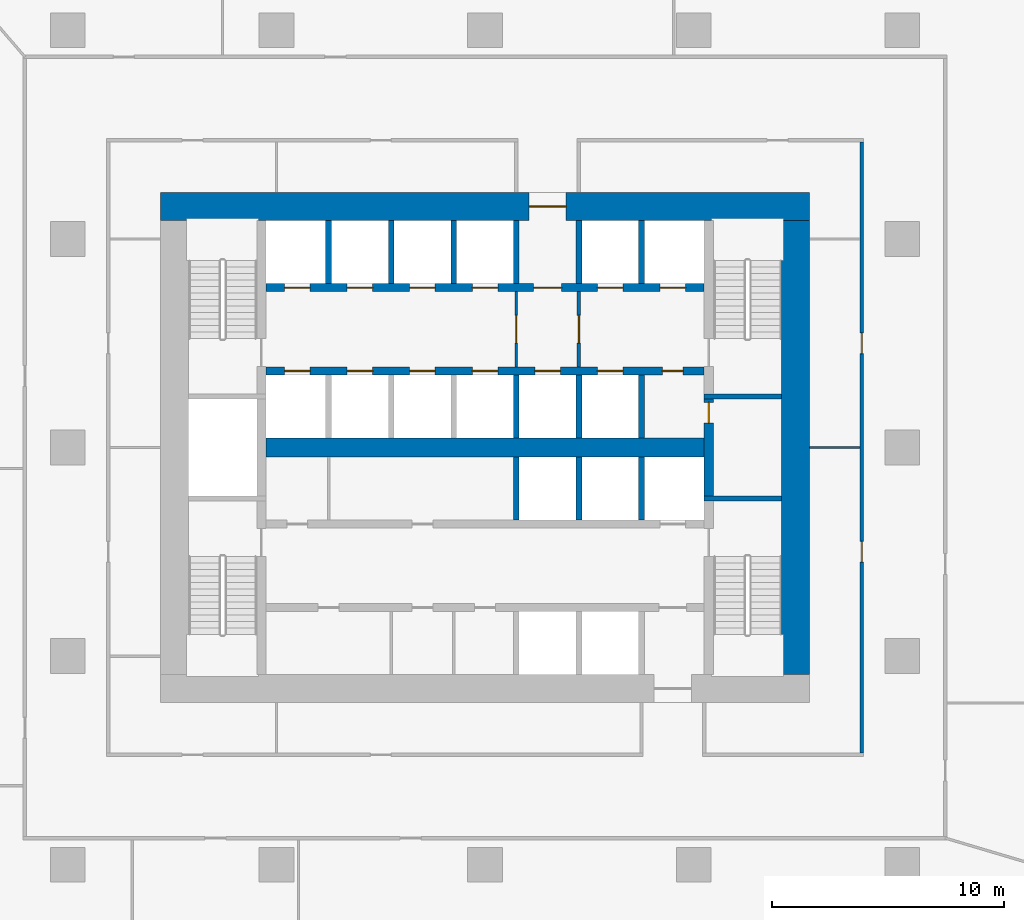
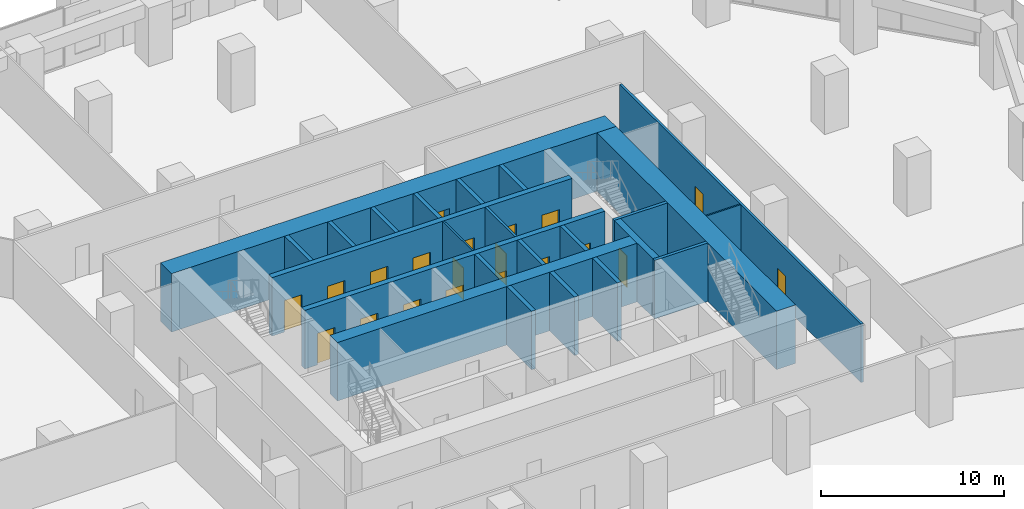
# One storey, part 14 of 23: 24 walls, 20 doors, 20 openings.
"""IFC4 building model written with IfcOpenShell, lengths in metres."""

from ifc_helpers import new_model, si_unit, direction, frame, frame_2d, origin, place, context, subcontext, project, spatial, rectangle, extrude, material, layer, layer_set, type_object, element, fill, save


model = new_model("IFC4")

# Units and contexts
model_context = context("Model", 3, precision=1e-05, world=origin(), true_north=direction((0.0, 1.0)))
body_context = subcontext(model_context, "Body", "Model", "MODEL_VIEW")
ifc_project = project(units=[si_unit("LENGTHUNIT", "METRE"), si_unit("AREAUNIT", "SQUARE_METRE"), si_unit("VOLUMEUNIT", "CUBIC_METRE"), si_unit("PLANEANGLEUNIT", "RADIAN"), si_unit("MASSUNIT", "GRAM", prefix="KILO")], contexts=[model_context])

# Site, building, storey
site_placement = place(None, origin())
site = spatial("IfcSite", under=ifc_project, at=site_placement, CompositionType="ELEMENT")
building_placement = place(site_placement, origin())
building = spatial("IfcBuilding", under=site, at=building_placement, Name="Dongbaek Canopy Tower", CompositionType="ELEMENT")
storey_placement = place(building_placement, frame((0.0, 0.0, 84.699951171875)))
storey = spatial("IfcBuildingStorey", under=building, at=storey_placement, Name="L17", CompositionType="ELEMENT", Elevation=84.699951171875)

# Wall
ifc_material_1 = material(Name="Concrete C60/75", Category="concrete")
ifc_layer_1 = layer(ifc_material_1, 0.800048828125)
ifc_layer_set_1 = layer_set([ifc_layer_1], Name="Core central wall 800 Concrete C60/75")
wall_type_1 = type_object("IfcWallType", Name="Core central wall 800 Concrete C60/75", PredefinedType="SHEAR", material=ifc_layer_set_1)
wall_1_placement = place(storey_placement, frame((-9.449951171875, 0.0, 0.0), z_axis=(0.0, 0.0, 1.0), x_axis=(1.0, 0.0, 0.0)))
element("IfcWall", 1, at=wall_1_placement, inside=storey, type_object=wall_type_1, Name="Core wall", PredefinedType="SHEAR", context=body_context, shape_type="SweptSolid", body=[
    extrude(rectangle(XDim=18.89990234375, YDim=0.800048828125, at=frame_2d((9.449951171875, 0.0))), origin(), (0.0, 0.0, 1.0), 3.900146484375),
])

# Wall, openings, doors
ifc_material_2 = material(Name="Concrete C60/75", Category="concrete")
ifc_layer_2 = layer(ifc_material_2, 0.35009765625)
ifc_layer_set_2 = layer_set([ifc_layer_2], Name="Core lobby wall 350 Concrete C60/75")
wall_type_2 = type_object("IfcWallType", Name="Core lobby wall 350 Concrete C60/75", PredefinedType="SHEAR", material=ifc_layer_set_2)
wall_2_placement = place(storey_placement, frame((-9.449951171875, 6.89990234375, 0.0), z_axis=(0.0, 0.0, 1.0), x_axis=(1.0, 0.0, 0.0)))
wall_2 = element("IfcWall", 2, at=wall_2_placement, inside=storey, type_object=wall_type_2, Name="Core wall", PredefinedType="SHEAR", context=body_context, shape_type="SweptSolid", body=[
    extrude(rectangle(XDim=18.89990234375, YDim=0.35009765625, at=frame_2d((9.449951171875, 0.0))), origin(), (0.0, 0.0, 1.0), 3.900146484375),
])
opening_1_placement = place(wall_2_placement, frame((0.800048828125, 0.0, 0.0)))
opening_1 = element("IfcOpeningElement", 3, at=opening_1_placement, cuts=wall_2, Name="Opening L17-D019", PredefinedType="OPENING", context=body_context, shape_type="SweptSolid", body=[
    extrude(rectangle(XDim=1.10009765625, YDim=2.10009765625, at=frame_2d((0.550048828125, 1.050048828125))), frame((0.0, 0.18505859375, 0.0), z_axis=(0.0, -1.0, 0.0), x_axis=(1.0, 0.0, 0.0)), (0.0, 0.0, 1.0), 0.3701171875),
])
opening_2_placement = place(wall_2_placement, frame((3.5, 0.0, 0.0)))
opening_2 = element("IfcOpeningElement", 4, at=opening_2_placement, cuts=wall_2, Name="Opening L17-D020", PredefinedType="OPENING", context=body_context, shape_type="SweptSolid", body=[
    extrude(rectangle(XDim=1.10009765625, YDim=2.10009765625, at=frame_2d((0.550048828125, 1.050048828125))), frame((0.0, 0.18505859375, 0.0), z_axis=(0.0, -1.0, 0.0), x_axis=(1.0, 0.0, 0.0)), (0.0, 0.0, 1.0), 0.3701171875),
])
opening_3_placement = place(wall_2_placement, frame((6.199951171875, 0.0, 0.0)))
opening_3 = element("IfcOpeningElement", 5, at=opening_3_placement, cuts=wall_2, Name="Opening L17-D021", PredefinedType="OPENING", context=body_context, shape_type="SweptSolid", body=[
    extrude(rectangle(XDim=1.10009765625, YDim=2.10009765625, at=frame_2d((0.550048828125, 1.050048828125))), frame((0.0, 0.18505859375, 0.0), z_axis=(0.0, -1.0, 0.0), x_axis=(1.0, 0.0, 0.0)), (0.0, 0.0, 1.0), 0.3701171875),
])
opening_4_placement = place(wall_2_placement, frame((8.89990234375, 0.0, 0.0)))
opening_4 = element("IfcOpeningElement", 6, at=opening_4_placement, cuts=wall_2, Name="Opening L17-D022", PredefinedType="OPENING", context=body_context, shape_type="SweptSolid", body=[
    extrude(rectangle(XDim=1.10009765625, YDim=2.10009765625, at=frame_2d((0.550048828125, 1.050048828125))), frame((0.0, 0.18505859375, 0.0), z_axis=(0.0, -1.0, 0.0), x_axis=(1.0, 0.0, 0.0)), (0.0, 0.0, 1.0), 0.3701171875),
])
opening_5_placement = place(wall_2_placement, frame((11.550048828125, 0.0, 0.0)))
opening_5 = element("IfcOpeningElement", 7, at=opening_5_placement, cuts=wall_2, Name="Opening L17-D024", PredefinedType="OPENING", context=body_context, shape_type="SweptSolid", body=[
    extrude(rectangle(XDim=1.199951171875, YDim=2.10009765625, at=frame_2d((0.60009765625, 1.050048828125))), frame((0.0, 0.18505859375, 0.0), z_axis=(0.0, -1.0, 0.0), x_axis=(1.0, 0.0, 0.0)), (0.0, 0.0, 1.0), 0.3701171875),
])
opening_6_placement = place(wall_2_placement, frame((14.300048828125, 0.0, 0.0)))
opening_6 = element("IfcOpeningElement", 8, at=opening_6_placement, cuts=wall_2, Name="Opening L17-D025", PredefinedType="OPENING", context=body_context, shape_type="SweptSolid", body=[
    extrude(rectangle(XDim=1.10009765625, YDim=2.10009765625, at=frame_2d((0.550048828125, 1.050048828125))), frame((0.0, 0.18505859375, 0.0), z_axis=(0.0, -1.0, 0.0), x_axis=(1.0, 0.0, 0.0)), (0.0, 0.0, 1.0), 0.3701171875),
])
opening_7_placement = place(wall_2_placement, frame((17.0, 0.0, 0.0)))
opening_7 = element("IfcOpeningElement", 9, at=opening_7_placement, cuts=wall_2, Name="Opening L17-D026", PredefinedType="OPENING", context=body_context, shape_type="SweptSolid", body=[
    extrude(rectangle(XDim=1.10009765625, YDim=2.10009765625, at=frame_2d((0.550048828125, 1.050048828125))), frame((0.0, 0.18505859375, 0.0), z_axis=(0.0, -1.0, 0.0), x_axis=(1.0, 0.0, 0.0)), (0.0, 0.0, 1.0), 0.3701171875),
])
ifc_material_3 = material(Name="Steel", Category="steel")
door_type_1 = type_object("IfcDoorType", Name="Fire lobby door 1200 x 2100", OperationType="SINGLE_SWING_LEFT", PredefinedType="DOOR", material=ifc_material_3)
door_1_placement = place(opening_5_placement, origin())
door_1 = element("IfcDoor", 10, at=door_1_placement, inside=storey, type_object=door_type_1, Name="Door L17-D024", OperationType="SINGLE_SWING_LEFT", OverallHeight=2.10009765625, OverallWidth=1.199951171875, PredefinedType="DOOR", context=body_context, shape_type="SweptSolid", body=[
    extrude(rectangle(XDim=1.199951171875, YDim=2.10009765625, at=frame_2d((0.60009765625, 1.050048828125))), frame((0.0, 0.02490234375, 0.0), z_axis=(0.0, -1.0, 0.0), x_axis=(1.0, 0.0, 0.0)), (0.0, 0.0, 1.0), 0.050048828125),
])
fill(opening_5, door_1)
ifc_material_4 = material(Name="Stainless steel", Category="steel")
door_type_2 = type_object("IfcDoorType", Name="Lift landing door 1100 x 2100", OperationType="DOUBLE_DOOR_SLIDING", PredefinedType="DOOR", material=ifc_material_4)
door_2_placement = place(opening_1_placement, origin())
door_2 = element("IfcDoor", 11, at=door_2_placement, inside=storey, type_object=door_type_2, Name="Landing door LR1", OperationType="DOUBLE_DOOR_SLIDING", OverallHeight=2.10009765625, OverallWidth=1.10009765625, PredefinedType="DOOR", context=body_context, shape_type="SweptSolid", body=[
    extrude(rectangle(XDim=1.10009765625, YDim=2.10009765625, at=frame_2d((0.550048828125, 1.050048828125))), frame((0.0, 0.02490234375, 0.0), z_axis=(0.0, -1.0, 0.0), x_axis=(1.0, 0.0, 0.0)), (0.0, 0.0, 1.0), 0.050048828125),
])
fill(opening_1, door_2)
door_3_placement = place(opening_2_placement, origin())
door_3 = element("IfcDoor", 12, at=door_3_placement, inside=storey, type_object=door_type_2, Name="Landing door LR2", OperationType="DOUBLE_DOOR_SLIDING", OverallHeight=2.10009765625, OverallWidth=1.10009765625, PredefinedType="DOOR", context=body_context, shape_type="SweptSolid", body=[
    extrude(rectangle(XDim=1.10009765625, YDim=2.10009765625, at=frame_2d((0.550048828125, 1.050048828125))), frame((0.0, 0.02490234375, 0.0), z_axis=(0.0, -1.0, 0.0), x_axis=(1.0, 0.0, 0.0)), (0.0, 0.0, 1.0), 0.050048828125),
])
fill(opening_2, door_3)
door_4_placement = place(opening_3_placement, origin())
door_4 = element("IfcDoor", 13, at=door_4_placement, inside=storey, type_object=door_type_2, Name="Landing door LR3", OperationType="DOUBLE_DOOR_SLIDING", OverallHeight=2.10009765625, OverallWidth=1.10009765625, PredefinedType="DOOR", context=body_context, shape_type="SweptSolid", body=[
    extrude(rectangle(XDim=1.10009765625, YDim=2.10009765625, at=frame_2d((0.550048828125, 1.050048828125))), frame((0.0, 0.02490234375, 0.0), z_axis=(0.0, -1.0, 0.0), x_axis=(1.0, 0.0, 0.0)), (0.0, 0.0, 1.0), 0.050048828125),
])
fill(opening_3, door_4)
door_5_placement = place(opening_4_placement, origin())
door_5 = element("IfcDoor", 14, at=door_5_placement, inside=storey, type_object=door_type_2, Name="Landing door LR4", OperationType="DOUBLE_DOOR_SLIDING", OverallHeight=2.10009765625, OverallWidth=1.10009765625, PredefinedType="DOOR", context=body_context, shape_type="SweptSolid", body=[
    extrude(rectangle(XDim=1.10009765625, YDim=2.10009765625, at=frame_2d((0.550048828125, 1.050048828125))), frame((0.0, 0.02490234375, 0.0), z_axis=(0.0, -1.0, 0.0), x_axis=(1.0, 0.0, 0.0)), (0.0, 0.0, 1.0), 0.050048828125),
])
fill(opening_4, door_5)
door_6_placement = place(opening_6_placement, origin())
door_6 = element("IfcDoor", 15, at=door_6_placement, inside=storey, type_object=door_type_2, Name="Landing door FF1", OperationType="DOUBLE_DOOR_SLIDING", OverallHeight=2.10009765625, OverallWidth=1.10009765625, PredefinedType="DOOR", context=body_context, shape_type="SweptSolid", body=[
    extrude(rectangle(XDim=1.10009765625, YDim=2.10009765625, at=frame_2d((0.550048828125, 1.050048828125))), frame((0.0, 0.02490234375, 0.0), z_axis=(0.0, -1.0, 0.0), x_axis=(1.0, 0.0, 0.0)), (0.0, 0.0, 1.0), 0.050048828125),
])
fill(opening_6, door_6)
door_7_placement = place(opening_7_placement, origin())
door_7 = element("IfcDoor", 16, at=door_7_placement, inside=storey, type_object=door_type_2, Name="Landing door FF2", OperationType="DOUBLE_DOOR_SLIDING", OverallHeight=2.10009765625, OverallWidth=1.10009765625, PredefinedType="DOOR", context=body_context, shape_type="SweptSolid", body=[
    extrude(rectangle(XDim=1.10009765625, YDim=2.10009765625, at=frame_2d((0.550048828125, 1.050048828125))), frame((0.0, 0.02490234375, 0.0), z_axis=(0.0, -1.0, 0.0), x_axis=(1.0, 0.0, 0.0)), (0.0, 0.0, 1.0), 0.050048828125),
])
fill(opening_7, door_7)

wall_3_placement = place(storey_placement, frame((9.449951171875, 3.300048828125, 0.0), z_axis=(0.0, 0.0, 1.0), x_axis=(-1.0, 0.0, 0.0)))
wall_3 = element("IfcWall", 17, at=wall_3_placement, inside=storey, type_object=wall_type_2, Name="Core wall", PredefinedType="SHEAR", context=body_context, shape_type="SweptSolid", body=[
    extrude(rectangle(XDim=18.89990234375, YDim=0.35009765625, at=frame_2d((9.449951171875, 0.0))), origin(), (0.0, 0.0, 1.0), 3.900146484375),
])
opening_8_placement = place(wall_3_placement, frame((17.0, 0.0, 0.0)))
opening_8 = element("IfcOpeningElement", 18, at=opening_8_placement, cuts=wall_3, Name="Opening L17-D027", PredefinedType="OPENING", context=body_context, shape_type="SweptSolid", body=[
    extrude(rectangle(XDim=1.10009765625, YDim=2.10009765625, at=frame_2d((0.550048828125, 1.050048828125))), frame((0.0, 0.18505859375, 0.0), z_axis=(0.0, -1.0, 0.0), x_axis=(1.0, 0.0, 0.0)), (0.0, 0.0, 1.0), 0.3701171875),
])
opening_9_placement = place(wall_3_placement, frame((14.300048828125, 0.0, 0.0)))
opening_9 = element("IfcOpeningElement", 19, at=opening_9_placement, cuts=wall_3, Name="Opening L17-D028", PredefinedType="OPENING", context=body_context, shape_type="SweptSolid", body=[
    extrude(rectangle(XDim=1.10009765625, YDim=2.10009765625, at=frame_2d((0.550048828125, 1.050048828125))), frame((0.0, 0.18505859375, 0.0), z_axis=(0.0, -1.0, 0.0), x_axis=(1.0, 0.0, 0.0)), (0.0, 0.0, 1.0), 0.3701171875),
])
opening_10_placement = place(wall_3_placement, frame((11.60009765625, 0.0, 0.0)))
opening_10 = element("IfcOpeningElement", 20, at=opening_10_placement, cuts=wall_3, Name="Opening L17-D029", PredefinedType="OPENING", context=body_context, shape_type="SweptSolid", body=[
    extrude(rectangle(XDim=1.10009765625, YDim=2.10009765625, at=frame_2d((0.550048828125, 1.050048828125))), frame((0.0, 0.18505859375, 0.0), z_axis=(0.0, -1.0, 0.0), x_axis=(1.0, 0.0, 0.0)), (0.0, 0.0, 1.0), 0.3701171875),
])
opening_11_placement = place(wall_3_placement, frame((8.89990234375, 0.0, 0.0)))
opening_11 = element("IfcOpeningElement", 21, at=opening_11_placement, cuts=wall_3, Name="Opening L17-D030", PredefinedType="OPENING", context=body_context, shape_type="SweptSolid", body=[
    extrude(rectangle(XDim=1.10009765625, YDim=2.10009765625, at=frame_2d((0.550048828125, 1.050048828125))), frame((0.0, 0.18505859375, 0.0), z_axis=(0.0, -1.0, 0.0), x_axis=(1.0, 0.0, 0.0)), (0.0, 0.0, 1.0), 0.3701171875),
])
opening_12_placement = place(wall_3_placement, frame((6.199951171875, 0.0, 0.0)))
opening_12 = element("IfcOpeningElement", 22, at=opening_12_placement, cuts=wall_3, Name="Opening L17-D031", PredefinedType="OPENING", context=body_context, shape_type="SweptSolid", body=[
    extrude(rectangle(XDim=1.10009765625, YDim=2.10009765625, at=frame_2d((0.550048828125, 1.050048828125))), frame((0.0, 0.18505859375, 0.0), z_axis=(0.0, -1.0, 0.0), x_axis=(1.0, 0.0, 0.0)), (0.0, 0.0, 1.0), 0.3701171875),
])
opening_13_placement = place(wall_3_placement, frame((3.5, 0.0, 0.0)))
opening_13 = element("IfcOpeningElement", 23, at=opening_13_placement, cuts=wall_3, Name="Opening L17-D032", PredefinedType="OPENING", context=body_context, shape_type="SweptSolid", body=[
    extrude(rectangle(XDim=1.10009765625, YDim=2.10009765625, at=frame_2d((0.550048828125, 1.050048828125))), frame((0.0, 0.18505859375, 0.0), z_axis=(0.0, -1.0, 0.0), x_axis=(1.0, 0.0, 0.0)), (0.0, 0.0, 1.0), 0.3701171875),
])
opening_14_placement = place(wall_3_placement, frame((0.89990234375, 0.0, 0.0)))
opening_14 = element("IfcOpeningElement", 24, at=opening_14_placement, cuts=wall_3, Name="Opening L17-D033", PredefinedType="OPENING", context=body_context, shape_type="SweptSolid", body=[
    extrude(rectangle(XDim=0.89990234375, YDim=2.10009765625, at=frame_2d((0.449951171875, 1.050048828125))), frame((0.0, 0.18505859375, 0.0), z_axis=(0.0, -1.0, 0.0), x_axis=(1.0, 0.0, 0.0)), (0.0, 0.0, 1.0), 0.3701171875),
])
ifc_material_5 = material(Name="Steel", Category="steel")
door_type_3 = type_object("IfcDoorType", Name="Core room door 900 x 2100", OperationType="SINGLE_SWING_LEFT", PredefinedType="DOOR", material=ifc_material_5)
door_8_placement = place(opening_14_placement, origin())
door_8 = element("IfcDoor", 25, at=door_8_placement, inside=storey, type_object=door_type_3, Name="Door L17-D033", OperationType="SINGLE_SWING_LEFT", OverallHeight=2.10009765625, OverallWidth=0.89990234375, PredefinedType="DOOR", context=body_context, shape_type="SweptSolid", body=[
    extrude(rectangle(XDim=0.89990234375, YDim=2.10009765625, at=frame_2d((0.449951171875, 1.050048828125))), frame((0.0, 0.02490234375, 0.0), z_axis=(0.0, -1.0, 0.0), x_axis=(1.0, 0.0, 0.0)), (0.0, 0.0, 1.0), 0.050048828125),
])
fill(opening_14, door_8)
door_9_placement = place(opening_8_placement, origin())
door_9 = element("IfcDoor", 26, at=door_9_placement, inside=storey, type_object=door_type_2, Name="Landing door LR5", OperationType="DOUBLE_DOOR_SLIDING", OverallHeight=2.10009765625, OverallWidth=1.10009765625, PredefinedType="DOOR", context=body_context, shape_type="SweptSolid", body=[
    extrude(rectangle(XDim=1.10009765625, YDim=2.10009765625, at=frame_2d((0.550048828125, 1.050048828125))), frame((0.0, 0.02490234375, 0.0), z_axis=(0.0, -1.0, 0.0), x_axis=(1.0, 0.0, 0.0)), (0.0, 0.0, 1.0), 0.050048828125),
])
fill(opening_8, door_9)
door_10_placement = place(opening_9_placement, origin())
door_10 = element("IfcDoor", 27, at=door_10_placement, inside=storey, type_object=door_type_2, Name="Landing door LR6", OperationType="DOUBLE_DOOR_SLIDING", OverallHeight=2.10009765625, OverallWidth=1.10009765625, PredefinedType="DOOR", context=body_context, shape_type="SweptSolid", body=[
    extrude(rectangle(XDim=1.10009765625, YDim=2.10009765625, at=frame_2d((0.550048828125, 1.050048828125))), frame((0.0, 0.02490234375, 0.0), z_axis=(0.0, -1.0, 0.0), x_axis=(1.0, 0.0, 0.0)), (0.0, 0.0, 1.0), 0.050048828125),
])
fill(opening_9, door_10)
door_11_placement = place(opening_10_placement, origin())
door_11 = element("IfcDoor", 28, at=door_11_placement, inside=storey, type_object=door_type_2, Name="Landing door LR7", OperationType="DOUBLE_DOOR_SLIDING", OverallHeight=2.10009765625, OverallWidth=1.10009765625, PredefinedType="DOOR", context=body_context, shape_type="SweptSolid", body=[
    extrude(rectangle(XDim=1.10009765625, YDim=2.10009765625, at=frame_2d((0.550048828125, 1.050048828125))), frame((0.0, 0.02490234375, 0.0), z_axis=(0.0, -1.0, 0.0), x_axis=(1.0, 0.0, 0.0)), (0.0, 0.0, 1.0), 0.050048828125),
])
fill(opening_10, door_11)
door_12_placement = place(opening_11_placement, origin())
door_12 = element("IfcDoor", 29, at=door_12_placement, inside=storey, type_object=door_type_2, Name="Landing door LR8", OperationType="DOUBLE_DOOR_SLIDING", OverallHeight=2.10009765625, OverallWidth=1.10009765625, PredefinedType="DOOR", context=body_context, shape_type="SweptSolid", body=[
    extrude(rectangle(XDim=1.10009765625, YDim=2.10009765625, at=frame_2d((0.550048828125, 1.050048828125))), frame((0.0, 0.02490234375, 0.0), z_axis=(0.0, -1.0, 0.0), x_axis=(1.0, 0.0, 0.0)), (0.0, 0.0, 1.0), 0.050048828125),
])
fill(opening_11, door_12)
door_13_placement = place(opening_12_placement, origin())
door_13 = element("IfcDoor", 30, at=door_13_placement, inside=storey, type_object=door_type_2, Name="Landing door SV1", OperationType="DOUBLE_DOOR_SLIDING", OverallHeight=2.10009765625, OverallWidth=1.10009765625, PredefinedType="DOOR", context=body_context, shape_type="SweptSolid", body=[
    extrude(rectangle(XDim=1.10009765625, YDim=2.10009765625, at=frame_2d((0.550048828125, 1.050048828125))), frame((0.0, 0.02490234375, 0.0), z_axis=(0.0, -1.0, 0.0), x_axis=(1.0, 0.0, 0.0)), (0.0, 0.0, 1.0), 0.050048828125),
])
fill(opening_12, door_13)
door_14_placement = place(opening_13_placement, origin())
door_14 = element("IfcDoor", 31, at=door_14_placement, inside=storey, type_object=door_type_2, Name="Landing door FF3", OperationType="DOUBLE_DOOR_SLIDING", OverallHeight=2.10009765625, OverallWidth=1.10009765625, PredefinedType="DOOR", context=body_context, shape_type="SweptSolid", body=[
    extrude(rectangle(XDim=1.10009765625, YDim=2.10009765625, at=frame_2d((0.550048828125, 1.050048828125))), frame((0.0, 0.02490234375, 0.0), z_axis=(0.0, -1.0, 0.0), x_axis=(1.0, 0.0, 0.0)), (0.0, 0.0, 1.0), 0.050048828125),
])
fill(opening_13, door_14)

# Wall, opening, door
ifc_material_6 = material(Name="Concrete C60/75", Category="concrete")
ifc_layer_3 = layer(ifc_material_6, 1.199951171875)
ifc_layer_set_3 = layer_set([ifc_layer_3], Name="Core outer wall 1200 Concrete C60/75")
wall_type_3 = type_object("IfcWallType", Name="Core outer wall 1200 Concrete C60/75", PredefinedType="SHEAR", material=ifc_layer_set_3)
wall_4_placement = place(storey_placement, frame((-14.0, 10.39990234375, 0.0), z_axis=(0.0, 0.0, 1.0), x_axis=(1.0, 0.0, 0.0)))
wall_4 = element("IfcWall", 32, at=wall_4_placement, inside=storey, type_object=wall_type_3, Name="Core wall", PredefinedType="SHEAR", context=body_context, shape_type="SweptSolid", body=[
    extrude(rectangle(XDim=28.0, YDim=1.199951171875, at=frame_2d((14.0, 0.0))), origin(), (0.0, 0.0, 1.0), 3.900146484375),
])
opening_15_placement = place(wall_4_placement, frame((15.89990234375, 0.0, 0.0)))
opening_15 = element("IfcOpeningElement", 33, at=opening_15_placement, cuts=wall_4, Name="Opening L17-D023", PredefinedType="OPENING", context=body_context, shape_type="SweptSolid", body=[
    extrude(rectangle(XDim=1.60009765625, YDim=2.10009765625, at=frame_2d((0.800048828125, 1.050048828125))), frame((0.0, 0.60986328125, 0.0), z_axis=(0.0, -1.0, 0.0), x_axis=(1.0, 0.0, 0.0)), (0.0, 0.0, 1.0), 1.219970703125),
])
ifc_material_7 = material(Name="Steel", Category="steel")
door_type_4 = type_object("IfcDoorType", Name="Core exit door 1600 x 2100", OperationType="DOUBLE_DOOR_SINGLE_SWING", PredefinedType="DOOR", material=ifc_material_7)
door_15_placement = place(opening_15_placement, origin())
door_15 = element("IfcDoor", 34, at=door_15_placement, inside=storey, type_object=door_type_4, Name="Core exit door", OperationType="DOUBLE_DOOR_SINGLE_SWING", OverallHeight=2.10009765625, OverallWidth=1.60009765625, PredefinedType="DOOR", context=body_context, shape_type="SweptSolid", body=[
    extrude(rectangle(XDim=1.60009765625, YDim=2.10009765625, at=frame_2d((0.800048828125, 1.050048828125))), frame((0.0, 0.02490234375, 0.0), z_axis=(0.0, -1.0, 0.0), x_axis=(1.0, 0.0, 0.0)), (0.0, 0.0, 1.0), 0.050048828125),
])
fill(opening_15, door_15)

# Wall
wall_5_placement = place(storey_placement, frame((13.39990234375, 9.800048828125, 0.0), z_axis=(0.0, 0.0, 1.0), x_axis=(0.0, -1.0, 0.0)))
element("IfcWall", 35, at=wall_5_placement, inside=storey, type_object=wall_type_3, Name="Core wall", PredefinedType="SHEAR", context=body_context, shape_type="SweptSolid", body=[
    extrude(rectangle(XDim=19.60009765625, YDim=1.199951171875, at=frame_2d((9.800048828125, 0.0))), origin(), (0.0, 0.0, 1.0), 3.900146484375),
])

# Wall, openings, doors
ifc_material_8 = material(Name="Gypsum board partition, steel stud, 2 x 15 mm fire board", Category="steel")
ifc_layer_4 = layer(ifc_material_8, 0.14990234375)
ifc_layer_set_4 = layer_set([ifc_layer_4], Name="Fire-rated partition 150 gypsum board")
wall_type_4 = type_object("IfcWallType", Name="Fire-rated partition 150 gypsum board", PredefinedType="PARTITIONING", material=ifc_layer_set_4)
wall_6_placement = place(storey_placement, frame((16.25, -13.175048828125, 0.0), z_axis=(0.0, 0.0, 1.0), x_axis=(0.0, 1.0, 0.0)))
wall_6 = element("IfcWall", 36, at=wall_6_placement, inside=storey, type_object=wall_type_4, Name="Corridor partition", PredefinedType="PARTITIONING", context=body_context, shape_type="SweptSolid", body=[
    extrude(rectangle(XDim=26.35009765625, YDim=0.14990234375, at=frame_2d((13.175048828125, 0.0))), origin(), (0.0, 0.0, 1.0), 3.900146484375),
])
opening_16_placement = place(wall_6_placement, frame((8.22509765625, 0.0, 0.0)))
opening_16 = element("IfcOpeningElement", 37, at=opening_16_placement, cuts=wall_6, Name="Opening L17-D012", PredefinedType="OPENING", context=body_context, shape_type="SweptSolid", body=[
    extrude(rectangle(XDim=0.89990234375, YDim=2.10009765625, at=frame_2d((0.449951171875, 1.050048828125))), frame((0.0, 0.0849609375, 0.0), z_axis=(0.0, -1.0, 0.0), x_axis=(1.0, 0.0, 0.0)), (0.0, 0.0, 1.0), 0.169921875),
])
opening_17_placement = place(wall_6_placement, frame((17.22509765625, 0.0, 0.0)))
opening_17 = element("IfcOpeningElement", 38, at=opening_17_placement, cuts=wall_6, Name="Opening L17-D013", PredefinedType="OPENING", context=body_context, shape_type="SweptSolid", body=[
    extrude(rectangle(XDim=0.89990234375, YDim=2.10009765625, at=frame_2d((0.449951171875, 1.050048828125))), frame((0.0, 0.0849609375, 0.0), z_axis=(0.0, -1.0, 0.0), x_axis=(1.0, 0.0, 0.0)), (0.0, 0.0, 1.0), 0.169921875),
])
ifc_material_9 = material(Name="Timber veneered door leaf", Category="wood")
door_type_5 = type_object("IfcDoorType", Name="Room door 900 x 2100", OperationType="SINGLE_SWING_LEFT", PredefinedType="DOOR", material=ifc_material_9)
door_16_placement = place(opening_16_placement, origin())
door_16 = element("IfcDoor", 39, at=door_16_placement, inside=storey, type_object=door_type_5, Name="Door L17-D012", OperationType="SINGLE_SWING_RIGHT", OverallHeight=2.10009765625, OverallWidth=0.89990234375, PredefinedType="DOOR", context=body_context, shape_type="SweptSolid", body=[
    extrude(rectangle(XDim=0.89990234375, YDim=2.10009765625, at=frame_2d((0.449951171875, 1.050048828125))), frame((0.0, 0.02490234375, 0.0), z_axis=(0.0, -1.0, 0.0), x_axis=(1.0, 0.0, 0.0)), (0.0, 0.0, 1.0), 0.050048828125),
])
fill(opening_16, door_16)
door_17_placement = place(opening_17_placement, origin())
door_17 = element("IfcDoor", 40, at=door_17_placement, inside=storey, type_object=door_type_5, Name="Door L17-D013", OperationType="SINGLE_SWING_LEFT", OverallHeight=2.10009765625, OverallWidth=0.89990234375, PredefinedType="DOOR", context=body_context, shape_type="SweptSolid", body=[
    extrude(rectangle(XDim=0.89990234375, YDim=2.10009765625, at=frame_2d((0.449951171875, 1.050048828125))), frame((0.0, 0.02490234375, 0.0), z_axis=(0.0, -1.0, 0.0), x_axis=(1.0, 0.0, 0.0)), (0.0, 0.0, 1.0), 0.050048828125),
])
fill(opening_17, door_17)

# Wall, opening, door
wall_7_placement = place(storey_placement, frame((4.050048828125, 6.72509765625, 0.0), z_axis=(0.0, 0.0, 1.0), x_axis=(0.0, -1.0, 0.0)))
wall_7 = element("IfcWall", 41, at=wall_7_placement, inside=storey, type_object=wall_type_4, Name="Fire lobby partition", PredefinedType="PARTITIONING", context=body_context, shape_type="SweptSolid", body=[
    extrude(rectangle(XDim=3.25, YDim=0.14990234375, at=frame_2d((1.625, 0.0))), origin(), (0.0, 0.0, 1.0), 3.900146484375),
])
opening_18_placement = place(wall_7_placement, frame((1.02490234375, 0.0, 0.0)))
opening_18 = element("IfcOpeningElement", 42, at=opening_18_placement, cuts=wall_7, Name="Opening L17-D047", PredefinedType="OPENING", context=body_context, shape_type="SweptSolid", body=[
    extrude(rectangle(XDim=1.199951171875, YDim=2.10009765625, at=frame_2d((0.60009765625, 1.050048828125))), frame((0.0, 0.0849609375, 0.0), z_axis=(0.0, -1.0, 0.0), x_axis=(1.0, 0.0, 0.0)), (0.0, 0.0, 1.0), 0.169921875),
])
door_18_placement = place(opening_18_placement, origin())
door_18 = element("IfcDoor", 43, at=door_18_placement, inside=storey, type_object=door_type_1, Name="Door L17-D047", OperationType="SINGLE_SWING_RIGHT", OverallHeight=2.10009765625, OverallWidth=1.199951171875, PredefinedType="DOOR", context=body_context, shape_type="SweptSolid", body=[
    extrude(rectangle(XDim=1.199951171875, YDim=2.10009765625, at=frame_2d((0.60009765625, 1.050048828125))), frame((0.0, 0.02490234375, 0.0), z_axis=(0.0, -1.0, 0.0), x_axis=(1.0, 0.0, 0.0)), (0.0, 0.0, 1.0), 0.050048828125),
])
fill(opening_18, door_18)

# Walls
ifc_material_10 = material(Name="Concrete C40/50", Category="concrete")
ifc_layer_5 = layer(ifc_material_10, 0.25)
ifc_layer_set_5 = layer_set([ifc_layer_5], Name="Lift shaft wall 250 Concrete C40/50")
wall_type_5 = type_object("IfcWallType", Name="Lift shaft wall 250 Concrete C40/50", PredefinedType="SOLIDWALL", material=ifc_layer_set_5)
for number, where, z_axis, x_axis, name in (
    (44, (6.75, -3.125, 0.0), (0.0, 0.0, 1.0), (0.0, 1.0, 0.0), "Lift shaft wall"),
    (45, (6.75, 0.39990234375, 0.0), (0.0, 0.0, 1.0), (0.0, 1.0, 0.0), "Lift shaft wall"),
    (46, (6.75, 7.074951171875, 0.0), (0.0, 0.0, 1.0), (0.0, 1.0, 0.0), "Lift shaft wall"),
    (47, (4.050048828125, -3.125, 0.0), (0.0, 0.0, 1.0), (0.0, 1.0, 0.0), "Lift shaft wall"),
    (48, (4.050048828125, 0.39990234375, 0.0), (0.0, 0.0, 1.0), (0.0, 1.0, 0.0), "Lift shaft wall"),
    (49, (4.050048828125, 7.074951171875, 0.0), (0.0, 0.0, 1.0), (0.0, 1.0, 0.0), "Lift shaft wall"),
    (50, (1.35009765625, -3.125, 0.0), (0.0, 0.0, 1.0), (0.0, 1.0, 0.0), "Lift shaft wall"),
    (51, (1.35009765625, 0.39990234375, 0.0), (0.0, 0.0, 1.0), (0.0, 1.0, 0.0), "Lift shaft wall"),
    (52, (1.35009765625, 7.074951171875, 0.0), (0.0, 0.0, 1.0), (0.0, 1.0, 0.0), "Lift shaft wall"),
    (53, (-1.35009765625, 7.074951171875, 0.0), (0.0, 0.0, 1.0), (0.0, 1.0, 0.0), "Lift shaft wall"),
    (54, (-4.050048828125, 7.074951171875, 0.0), (0.0, 0.0, 1.0), (0.0, 1.0, 0.0), "Lift shaft wall"),
    (55, (-6.75, 7.074951171875, 0.0), (0.0, 0.0, 1.0), (0.0, 1.0, 0.0), "Lift shaft wall"),
):
    element("IfcWall", number, at=place(storey_placement, frame(where, z_axis=z_axis, x_axis=x_axis)), inside=storey, type_object=wall_type_5, Name=name, PredefinedType="SOLIDWALL", context=body_context, shape_type="SweptSolid", body=[
        extrude(rectangle(XDim=2.72509765625, YDim=0.25, at=frame_2d((1.362548828125, 0.0))), origin(), (0.0, 0.0, 1.0), 3.900146484375),
    ])
ifc_material_11 = material(Name="Gypsum board partition, steel stud, 2 x 12.5 mm board", Category="steel")
ifc_layer_6 = layer(ifc_material_11, 0.10009765625)
ifc_layer_set_6 = layer_set([ifc_layer_6], Name="Partition 100 gypsum board")
wall_type_6 = type_object("IfcWallType", Name="Partition 100 gypsum board", PredefinedType="PARTITIONING", material=ifc_layer_set_6)
wall_8_placement = place(storey_placement, frame((14.0, 0.0, 0.0), z_axis=(0.0, 0.0, 1.0), x_axis=(1.0, 0.0, 0.0)))
element("IfcWall", 56, at=wall_8_placement, inside=storey, type_object=wall_type_6, Name="Partition", PredefinedType="PARTITIONING", context=body_context, shape_type="SweptSolid", body=[
    extrude(rectangle(XDim=2.175048828125, YDim=0.10009765625, at=frame_2d((1.08740234375, 0.0))), origin(), (0.0, 0.0, 1.0), 3.900146484375),
])

# Wall, opening, door
wall_9_placement = place(storey_placement, frame((1.35009765625, 6.72509765625, 0.0), z_axis=(0.0, 0.0, 1.0), x_axis=(0.0, -1.0, 0.0)))
wall_9 = element("IfcWall", 57, at=wall_9_placement, inside=storey, type_object=wall_type_6, Name="Core partition", PredefinedType="PARTITIONING", context=body_context, shape_type="SweptSolid", body=[
    extrude(rectangle(XDim=3.25, YDim=0.10009765625, at=frame_2d((1.625, 0.0))), origin(), (0.0, 0.0, 1.0), 3.900146484375),
])
opening_19_placement = place(wall_9_placement, frame((1.02490234375, 0.0, 0.0)))
opening_19 = element("IfcOpeningElement", 58, at=opening_19_placement, cuts=wall_9, Name="Opening L17-D046", PredefinedType="OPENING", context=body_context, shape_type="SweptSolid", body=[
    extrude(rectangle(XDim=1.199951171875, YDim=2.10009765625, at=frame_2d((0.60009765625, 1.050048828125))), frame((0.0, 0.06005859375, 0.0), z_axis=(0.0, -1.0, 0.0), x_axis=(1.0, 0.0, 0.0)), (0.0, 0.0, 1.0), 0.1201171875),
])
door_19_placement = place(opening_19_placement, origin())
door_19 = element("IfcDoor", 59, at=door_19_placement, inside=storey, type_object=door_type_1, Name="Door L17-D046", OperationType="SINGLE_SWING_LEFT", OverallHeight=2.10009765625, OverallWidth=1.199951171875, PredefinedType="DOOR", context=body_context, shape_type="SweptSolid", body=[
    extrude(rectangle(XDim=1.199951171875, YDim=2.10009765625, at=frame_2d((0.60009765625, 1.050048828125))), frame((0.0, 0.02490234375, 0.0), z_axis=(0.0, -1.0, 0.0), x_axis=(1.0, 0.0, 0.0)), (0.0, 0.0, 1.0), 0.050048828125),
])
fill(opening_19, door_19)

# Walls
ifc_material_12 = material(Name="Concrete C60/75", Category="concrete")
ifc_layer_7 = layer(ifc_material_12, 0.199951171875)
ifc_layer_set_7 = layer_set([ifc_layer_7], Name="Riser wall 200 Concrete C60/75")
wall_type_7 = type_object("IfcWallType", Name="Riser wall 200 Concrete C60/75", PredefinedType="SHEAR", material=ifc_layer_set_7)
for number, where, z_axis, x_axis, name in (
    (60, (9.449951171875, 2.199951171875, 0.0), (0.0, 0.0, 1.0), (1.0, 0.0, 0.0), "Riser wall"),
    (61, (9.449951171875, -2.199951171875, 0.0), (0.0, 0.0, 1.0), (1.0, 0.0, 0.0), "Riser wall"),
):
    element("IfcWall", number, at=place(storey_placement, frame(where, z_axis=z_axis, x_axis=x_axis)), inside=storey, type_object=wall_type_7, Name=name, PredefinedType="SHEAR", context=body_context, shape_type="SweptSolid", body=[
        extrude(rectangle(XDim=3.35009765625, YDim=0.199951171875, at=frame_2d((1.675048828125, 0.0))), origin(), (0.0, 0.0, 1.0), 3.900146484375),
    ])

# Wall, opening, door
ifc_material_13 = material(Name="Concrete C60/75", Category="concrete")
ifc_layer_8 = layer(ifc_material_13, 0.39990234375)
ifc_layer_set_8 = layer_set([ifc_layer_8], Name="Stair wall 400 Concrete C60/75")
wall_type_8 = type_object("IfcWallType", Name="Stair wall 400 Concrete C60/75", PredefinedType="SHEAR", material=ifc_layer_set_8)
wall_10_placement = place(storey_placement, frame((9.64990234375, 2.10009765625, 0.0), z_axis=(0.0, 0.0, 1.0), x_axis=(0.0, -1.0, 0.0)))
wall_10 = element("IfcWall", 62, at=wall_10_placement, inside=storey, type_object=wall_type_8, Name="Stair wall", PredefinedType="SHEAR", context=body_context, shape_type="SweptSolid", body=[
    extrude(rectangle(XDim=4.2001953125, YDim=0.39990234375, at=frame_2d((2.10009765625, 0.0))), origin(), (0.0, 0.0, 1.0), 3.900146484375),
])
opening_20_placement = place(wall_10_placement, frame((0.14990234375, 0.0, 0.0)))
opening_20 = element("IfcOpeningElement", 63, at=opening_20_placement, cuts=wall_10, Name="Opening L17-D018", PredefinedType="OPENING", context=body_context, shape_type="SweptSolid", body=[
    extrude(rectangle(XDim=0.89990234375, YDim=2.10009765625, at=frame_2d((0.449951171875, 1.050048828125))), frame((0.0, 0.2099609375, 0.0), z_axis=(0.0, -1.0, 0.0), x_axis=(1.0, 0.0, 0.0)), (0.0, 0.0, 1.0), 0.419921875),
])
door_20_placement = place(opening_20_placement, origin())
door_20 = element("IfcDoor", 64, at=door_20_placement, inside=storey, type_object=door_type_3, Name="Door L17-D018", OperationType="SINGLE_SWING_RIGHT", OverallHeight=2.10009765625, OverallWidth=0.89990234375, PredefinedType="DOOR", context=body_context, shape_type="SweptSolid", body=[
    extrude(rectangle(XDim=0.89990234375, YDim=2.10009765625, at=frame_2d((0.449951171875, 1.050048828125))), frame((0.0, 0.02490234375, 0.0), z_axis=(0.0, -1.0, 0.0), x_axis=(1.0, 0.0, 0.0)), (0.0, 0.0, 1.0), 0.050048828125),
])
fill(opening_20, door_20)

save(model, "model.ifc")
